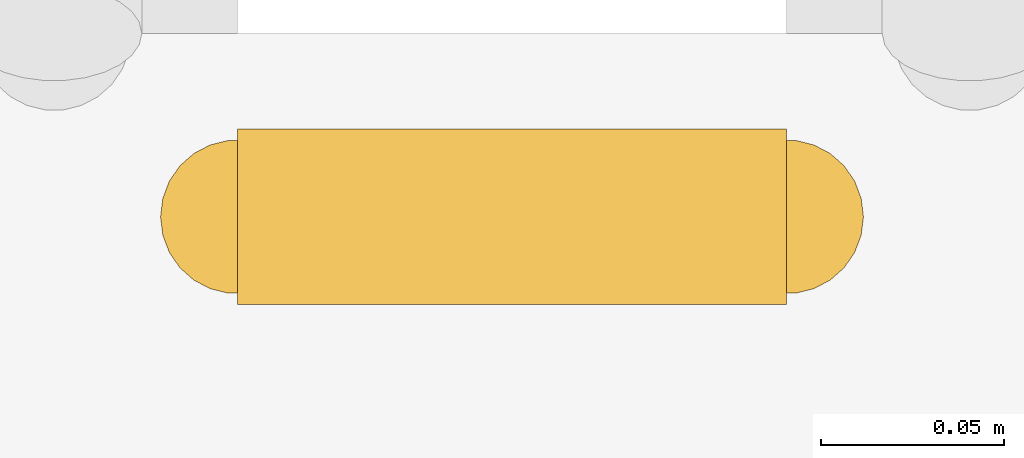
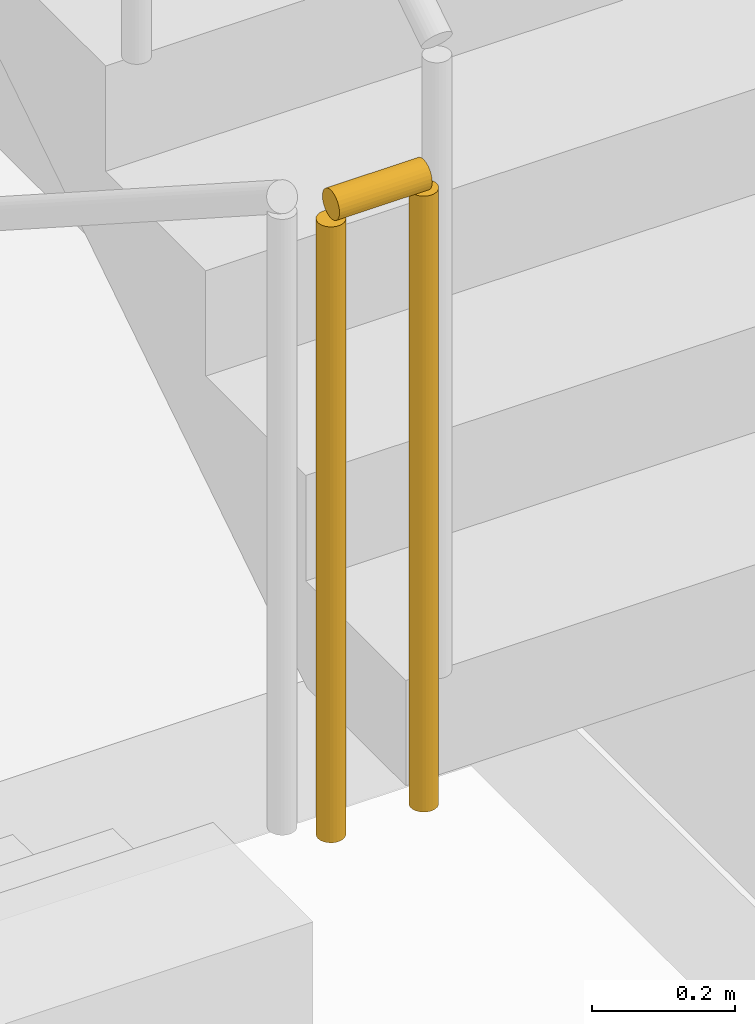
# One storey, part 8 of 12: 1 railing.
"""IFC4 building model written with IfcOpenShell, lengths in metres."""

from ifc_helpers import new_model, si_unit, direction, frame, origin, origin_2d, place, context, subcontext, project, spatial, circle, extrude, material, type_object, element, save


model = new_model("IFC4")

# Units and contexts
model_context = context("Model", 3, precision=1e-05, world=origin(), true_north=direction((0.0, 1.0)))
body_context = subcontext(model_context, "Body", "Model", "MODEL_VIEW")
ifc_project = project(units=[si_unit("LENGTHUNIT", "METRE"), si_unit("AREAUNIT", "SQUARE_METRE"), si_unit("VOLUMEUNIT", "CUBIC_METRE"), si_unit("PLANEANGLEUNIT", "RADIAN"), si_unit("MASSUNIT", "GRAM", prefix="KILO")], contexts=[model_context])

# Site, building, storey
site_placement = place(None, origin())
site = spatial("IfcSite", under=ifc_project, at=site_placement, CompositionType="ELEMENT")
building_placement = place(site_placement, origin())
building = spatial("IfcBuilding", under=site, at=building_placement, Name="Oramaril Tower", CompositionType="ELEMENT")
storey_placement = place(building_placement, frame((0.0, 0.0, 34.5)))
storey = spatial("IfcBuildingStorey", under=building, at=storey_placement, Name="L08", CompositionType="ELEMENT", Elevation=34.5)

# Railing
ifc_material = material(Name="Stainless Steel 316L", Category="steel")
railing_type = type_object("IfcRailingType", Name="RLT-GRD", PredefinedType="GUARDRAIL", material=ifc_material)
railing_placement = place(storey_placement, frame((31.510009765625, 15.02001953125, 1.800048828125)))
element("IfcRailing", 1, at=railing_placement, inside=storey, type_object=railing_type, Name="L08 ST-1 stair guard 2", PredefinedType="GUARDRAIL", context=body_context, shape_type="SweptSolid", body=[
    extrude(circle(Radius=0.02392578125, at=origin_2d()), frame((0.0, 0.0, 1.076171875), z_axis=(1.0, 0.0, 0.0), x_axis=(0.0, 1.0, 0.0)), (0.0, 0.0, 1.0), 0.14990234375),
    extrude(circle(Radius=0.02099609375, at=origin_2d()), origin(), (0.0, 0.0, 1.0), 1.052001953125),
    extrude(circle(Radius=0.02099609375, at=origin_2d()), frame((0.14990234375, 0.0, 0.0)), (0.0, 0.0, 1.0), 1.052001953125),
])

save(model, "model.ifc")
